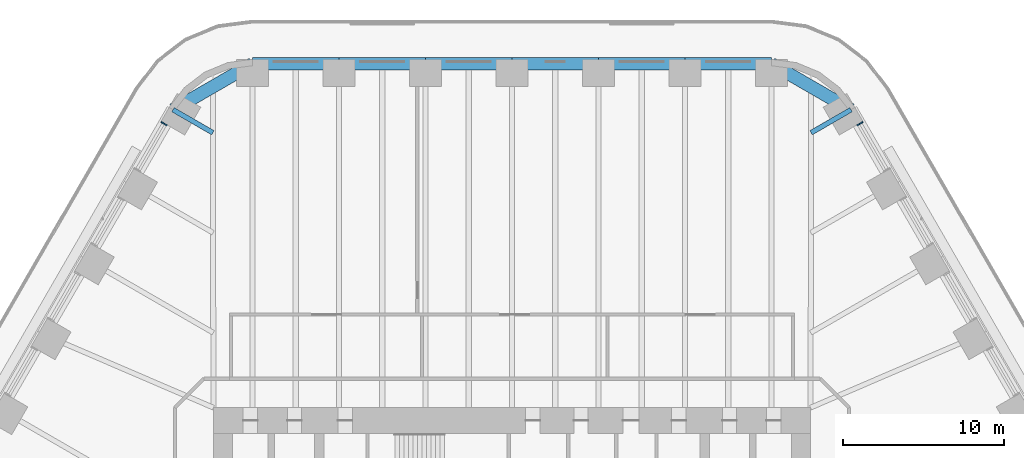
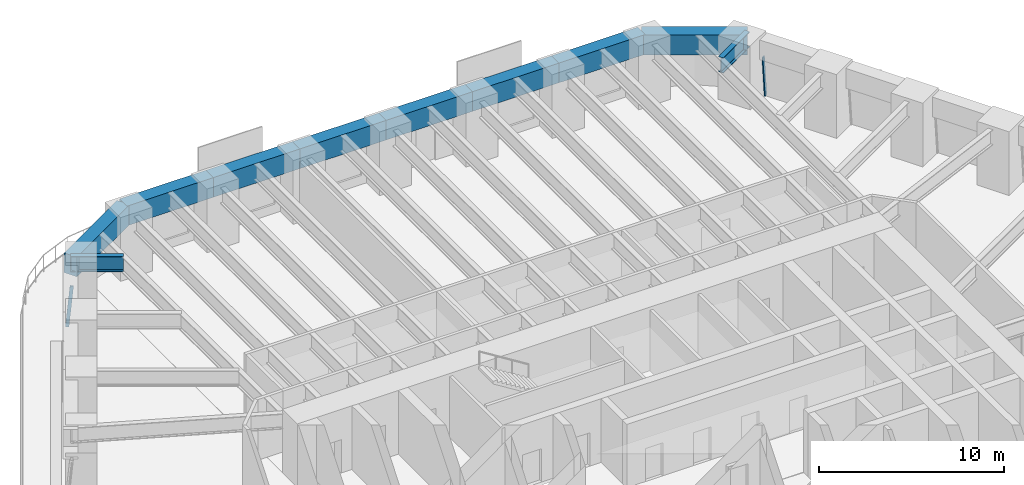
# One storey, part 14 of 23: 10 beams, 2 members, 2 elements without a shape of their own.
"""IFC4 building model written with IfcOpenShell, lengths in metres."""

from ifc_helpers import new_model, si_unit, direction, frame, origin, origin_2d, place, context, subcontext, project, spatial, rectangle, i_section, extrude, material, material_profile, profile_set, type_object, element, aggregate, save


model = new_model("IFC4")

# Units and contexts
model_context = context("Model", 3, precision=1e-05, world=origin(), true_north=direction((0.0, 1.0)))
body_context = subcontext(model_context, "Body", "Model", "MODEL_VIEW")
ifc_project = project(units=[si_unit("LENGTHUNIT", "METRE"), si_unit("AREAUNIT", "SQUARE_METRE"), si_unit("VOLUMEUNIT", "CUBIC_METRE"), si_unit("PLANEANGLEUNIT", "RADIAN"), si_unit("MASSUNIT", "GRAM", prefix="KILO")], contexts=[model_context])

# Site, building, storey
site_placement = place(None, origin())
site = spatial("IfcSite", under=ifc_project, at=site_placement, CompositionType="ELEMENT")
building_placement = place(site_placement, origin())
building = spatial("IfcBuilding", under=site, at=building_placement, Name="Tarfa Lantern Tower", CompositionType="ELEMENT")
storey_placement = place(building_placement, frame((0.0, 0.0, 82.300048828125)))
storey = spatial("IfcBuildingStorey", under=building, at=storey_placement, Name="L18", CompositionType="ELEMENT", Elevation=82.300048828125)

# Curtain wall, member
ifc_material_1 = material(Name="Aluminium framed curtain wall", Category="aluminium")
curtain_wall_type = type_object("IfcCurtainWallType", Name="CW1 CANTED GLAZING LOW ZONE 2700", PredefinedType="USERDEFINED", material=ifc_material_1)
curtain_wall_1_placement = place(storey_placement, origin())
curtain_wall_1 = element("IfcCurtainWall", 1, at=curtain_wall_1_placement, inside=storey, type_object=curtain_wall_type, Name="CW1 NE L18", ObjectType="CURTAIN WALL", PredefinedType="USERDEFINED")
ifc_material_2 = material(Name="Aluminium mullion", Category="aluminium")
ifc_material_profile_1 = material_profile(ifc_material_2, rectangle(XDim=0.06494140625, YDim=0.199951171875, at=origin_2d()), Name="AL MULLION 65x200")
ifc_profile_set_1 = profile_set([ifc_material_profile_1], Name="Aluminium mullion")
member_type = type_object("IfcMemberType", Name="CWM1 MULLION 65x200", PredefinedType="MULLION", material=ifc_profile_set_1)
member_1_placement = place(storey_placement, frame((21.79150390625, 30.055908203125, 0.0), z_axis=(-0.079774955866, -0.04610020023, 0.995746317068), x_axis=(0.500342721131, -0.865827443207, 0.0)))
member_1 = element("IfcMember", 2, at=member_1_placement, type_object=member_type, Name="CW1 mullion 2", PredefinedType="MULLION", context=body_context, shape_type="SweptSolid", body=[
    extrude(rectangle(XDim=0.06494140625, YDim=0.199951171875, at=origin_2d()), origin(), (0.0, 0.0, 1.0), 2.71142578125),
])
aggregate(curtain_wall_1, [member_1])

curtain_wall_2_placement = place(storey_placement, origin())
curtain_wall_2 = element("IfcCurtainWall", 3, at=curtain_wall_2_placement, inside=storey, type_object=curtain_wall_type, Name="CW1 NW L18", ObjectType="CURTAIN WALL", PredefinedType="USERDEFINED")
member_2_placement = place(storey_placement, frame((-21.79150390625, 30.055908203125, 0.0), z_axis=(0.079774955866, -0.04610020023, 0.995746317068), x_axis=(0.500342721131, 0.865827443207, 0.0)))
member_2 = element("IfcMember", 4, at=member_2_placement, type_object=member_type, Name="CW1 mullion 1", PredefinedType="MULLION", context=body_context, shape_type="SweptSolid", body=[
    extrude(rectangle(XDim=0.06494140625, YDim=0.199951171875, at=origin_2d()), origin(), (0.0, 0.0, 1.0), 2.71142578125),
])
aggregate(curtain_wall_2, [member_2])

# Beams
ifc_material_3 = material(Name="Concrete C80/95", Category="concrete")
ifc_material_profile_2 = material_profile(ifc_material_3, rectangle(XDim=0.800048828125, YDim=1.300048828125, at=origin_2d()), Name="RC 800x1300")
ifc_profile_set_2 = profile_set([ifc_material_profile_2], Name="Concrete C80/95")
beam_type_1 = type_object("IfcBeamType", Name="EB1 RC 800x1300", PredefinedType="SPANDREL", material=ifc_profile_set_2)
beam_1_placement = place(storey_placement, frame((21.119384765625, 30.860107421875, 3.349853515625), z_axis=(-0.866033479681, 0.499986011877, 0.0), x_axis=(-0.499986011877, -0.866033479681, 0.0)))
element("IfcBeam", 5, at=beam_1_placement, inside=storey, type_object=beam_type_1, Name="Edge beam NE6", PredefinedType="SPANDREL", context=body_context, shape_type="SweptSolid", body=[
    extrude(rectangle(XDim=0.800048828125, YDim=1.300048828125, at=origin_2d()), origin(), (0.0, 0.0, 1.0), 5.719970703125),
])
beam_2_placement = place(storey_placement, frame((16.165771484375, 33.719970703125, 3.349853515625), z_axis=(-1.0, 0.0, 0.0), x_axis=(0.0, -1.0, 0.0)))
element("IfcBeam", 6, at=beam_2_placement, inside=storey, type_object=beam_type_1, Name="Edge beam N0", PredefinedType="SPANDREL", context=body_context, shape_type="SweptSolid", body=[
    extrude(rectangle(XDim=0.800048828125, YDim=1.300048828125, at=origin_2d()), origin(), (0.0, 0.0, 1.0), 5.388671875),
])
beam_3_placement = place(storey_placement, frame((10.777099609375, 33.719970703125, 3.349853515625), z_axis=(-1.0, 0.0, 0.0), x_axis=(0.0, -1.0, 0.0)))
element("IfcBeam", 7, at=beam_3_placement, inside=storey, type_object=beam_type_1, Name="Edge beam N1", PredefinedType="SPANDREL", context=body_context, shape_type="SweptSolid", body=[
    extrude(rectangle(XDim=0.800048828125, YDim=1.300048828125, at=origin_2d()), origin(), (0.0, 0.0, 1.0), 5.388427734375),
])
for number, where, z_axis, x_axis, name in (
    (8, (5.388671875, 33.719970703125, 3.349853515625), (-1.0, 0.0, 0.0), (0.0, -1.0, 0.0), "Edge beam N2"),
    (9, (0.0, 33.719970703125, 3.349853515625), (-1.0, 0.0, 0.0), (0.0, -1.0, 0.0), "Edge beam N3"),
):
    element("IfcBeam", number, at=place(storey_placement, frame(where, z_axis=z_axis, x_axis=x_axis)), inside=storey, type_object=beam_type_1, Name=name, PredefinedType="SPANDREL", context=body_context, shape_type="SweptSolid", body=[
        extrude(rectangle(XDim=0.800048828125, YDim=1.300048828125, at=origin_2d()), origin(), (0.0, 0.0, 1.0), 5.388671875),
    ])
beam_4_placement = place(storey_placement, frame((-5.388671875, 33.719970703125, 3.349853515625), z_axis=(-1.0, 0.0, 0.0), x_axis=(0.0, -1.0, 0.0)))
element("IfcBeam", 10, at=beam_4_placement, inside=storey, type_object=beam_type_1, Name="Edge beam N4", PredefinedType="SPANDREL", context=body_context, shape_type="SweptSolid", body=[
    extrude(rectangle(XDim=0.800048828125, YDim=1.300048828125, at=origin_2d()), origin(), (0.0, 0.0, 1.0), 5.388427734375),
])
beam_5_placement = place(storey_placement, frame((-10.777099609375, 33.719970703125, 3.349853515625), z_axis=(-1.0, 0.0, 0.0), x_axis=(0.0, -1.0, 0.0)))
element("IfcBeam", 11, at=beam_5_placement, inside=storey, type_object=beam_type_1, Name="Edge beam N5", PredefinedType="SPANDREL", context=body_context, shape_type="SweptSolid", body=[
    extrude(rectangle(XDim=0.800048828125, YDim=1.300048828125, at=origin_2d()), origin(), (0.0, 0.0, 1.0), 5.388671875),
])
beam_6_placement = place(storey_placement, frame((-16.165771484375, 33.719970703125, 3.349853515625), z_axis=(-0.866033479681, -0.499986011877, 0.0), x_axis=(0.499986011877, -0.866033479681, 0.0)))
element("IfcBeam", 12, at=beam_6_placement, inside=storey, type_object=beam_type_1, Name="Edge beam N6", PredefinedType="SPANDREL", context=body_context, shape_type="SweptSolid", body=[
    extrude(rectangle(XDim=0.800048828125, YDim=1.300048828125, at=origin_2d()), origin(), (0.0, 0.0, 1.0), 5.719970703125),
])
ifc_material_4 = material(Name="Steel S460M", Category="steel")
ifc_material_profile_3 = material_profile(ifc_material_4, i_section(OverallWidth=0.302001953125, OverallDepth=1.008056640625, WebThickness=0.02099609375, FlangeThickness=0.0400390625, FilletRadius=0.030029296875, at=origin_2d()), Name="UB1016x305x349")
ifc_profile_set_3 = profile_set([ifc_material_profile_3], Name="Steel S460M")
beam_type_2 = type_object("IfcBeamType", Name="UB1016x305x349", PredefinedType="BEAM", material=ifc_profile_set_3)
for number, where, z_axis, x_axis, name in (
    (13, (21.119384765625, 30.860107421875, 3.495849609375), (-0.866012580594, -0.500022209759, 0.0), (0.500022209759, -0.866012580594, 0.0), "Floor beam NE6"),
    (14, (-21.119384765625, 30.860107421875, 3.495849609375), (0.866012580594, -0.500022209759, 0.0), (0.500022209759, 0.866012580594, 0.0), "Floor beam NW0"),
):
    element("IfcBeam", number, at=place(storey_placement, frame(where, z_axis=z_axis, x_axis=x_axis)), inside=storey, type_object=beam_type_2, Name=name, PredefinedType="BEAM", context=body_context, shape_type="SweptSolid", body=[
        extrude(i_section(OverallWidth=0.302001953125, OverallDepth=1.008056640625, WebThickness=0.02099609375, FlangeThickness=0.0400390625, FilletRadius=0.030029296875, at=origin_2d()), origin(), (0.0, 0.0, 1.0), 2.866943359375),
    ])

save(model, "model.ifc")
